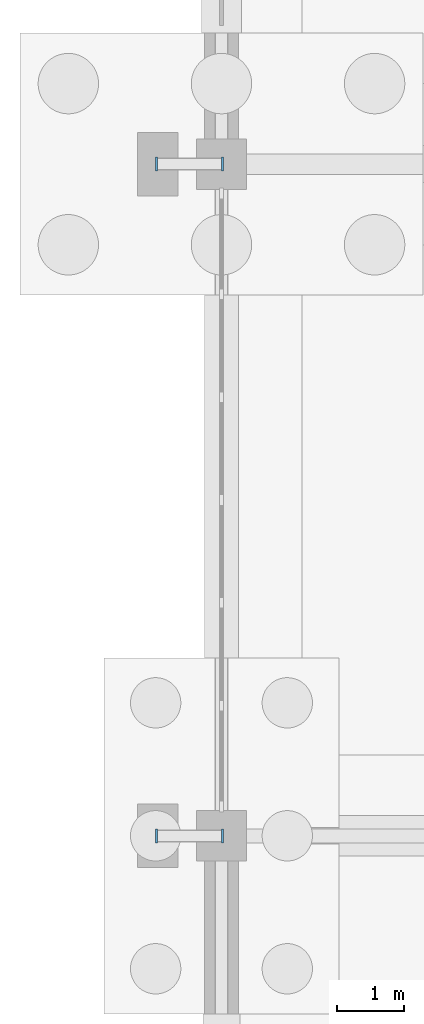
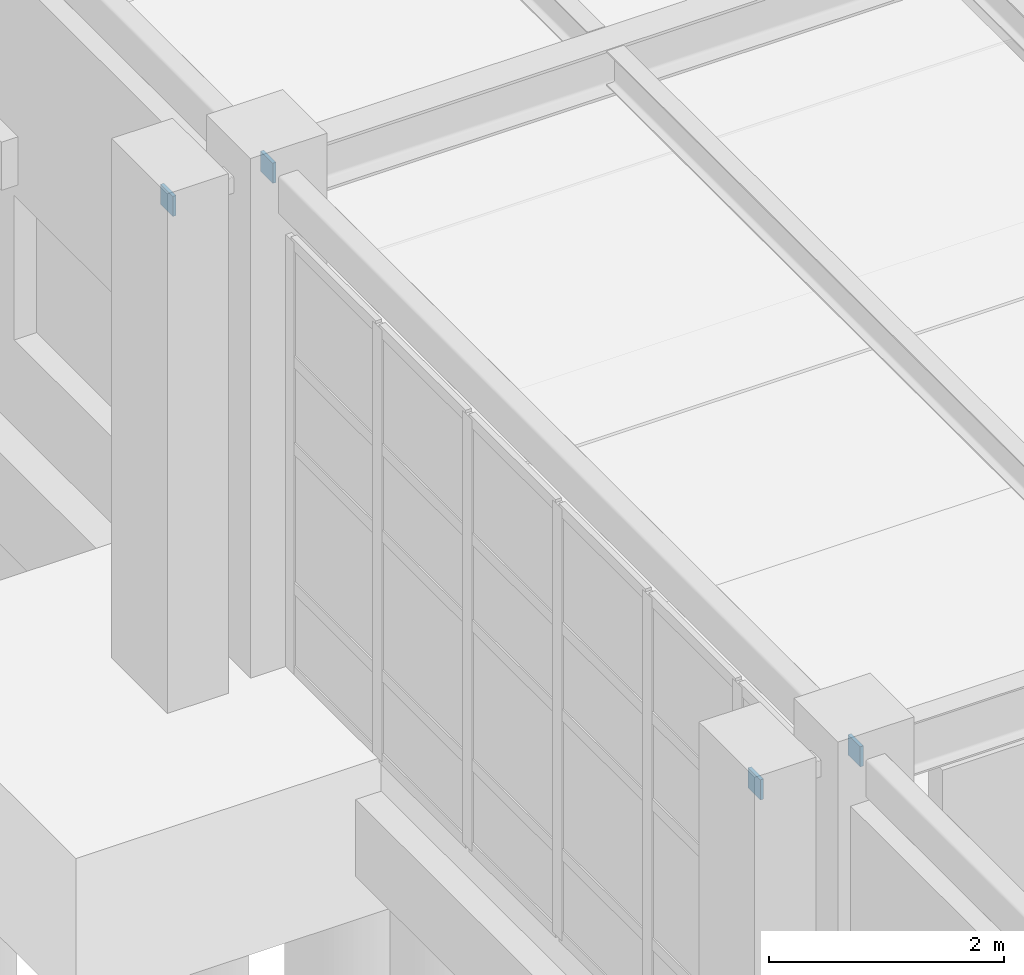
# One storey, part 100 of 145: 4 plates.
"""IFC4 building model written with IfcOpenShell, lengths in metres."""

from ifc_helpers import new_model, si_unit, direction, frame, origin, origin_2d, place, context, subcontext, project, spatial, rectangle, extrude, material, layer, layer_set, type_object, element, save


model = new_model("IFC4")

# Units and contexts
model_context = context("Model", 3, precision=1e-05, world=origin(), true_north=direction((0.0, 1.0)))
body_context = subcontext(model_context, "Body", "Model", "MODEL_VIEW")
ifc_project = project(units=[si_unit("LENGTHUNIT", "METRE"), si_unit("AREAUNIT", "SQUARE_METRE"), si_unit("VOLUMEUNIT", "CUBIC_METRE"), si_unit("PLANEANGLEUNIT", "RADIAN"), si_unit("MASSUNIT", "GRAM", prefix="KILO"), si_unit("THERMODYNAMICTEMPERATUREUNIT", "KELVIN"), si_unit("POWERUNIT", "WATT")], contexts=[model_context])

# Site, building, storey
site_placement = place(None, origin())
site = spatial("IfcSite", under=ifc_project, at=site_placement, CompositionType="ELEMENT")
building_placement = place(site_placement, origin())
building = spatial("IfcBuilding", under=site, at=building_placement, Name="Korenveer Ferry Terminal", CompositionType="ELEMENT")
storey_placement = place(building_placement, origin())
storey = spatial("IfcBuildingStorey", under=building, at=storey_placement, Name="L00", CompositionType="ELEMENT", Elevation=0.0)

# Plates
ifc_material = material(Name="Steel S355", Category="steel")
ifc_layer = layer(ifc_material, 0.031982421875)
ifc_layer_set = layer_set([ifc_layer], Name="Steel S355")
plate_type = type_object("IfcPlateType", Name="STR-PLT-CAP32", PredefinedType="USERDEFINED", material=ifc_layer_set)
for number, where, z_axis, x_axis, name in (
    (1, (-0.98193359375, 20.0, 4.949951171875), (1.0, 0.0, 0.0), (0.0, 1.0, 0.0), "Hollow section end cap 77"),
    (2, (0.0, 20.0, 4.949951171875), (1.0, 0.0, 0.0), (0.0, 1.0, 0.0), "Hollow section end cap 78"),
    (3, (-0.98193359375, 30.0, 4.949951171875), (1.0, 0.0, 0.0), (0.0, 1.0, 0.0), "Hollow section end cap 83"),
    (4, (0.0, 30.0, 4.949951171875), (1.0, 0.0, 0.0), (0.0, 1.0, 0.0), "Hollow section end cap 84"),
):
    element("IfcPlate", number, at=place(storey_placement, frame(where, z_axis=z_axis, x_axis=x_axis)), inside=storey, type_object=plate_type, Name=name, ObjectType="END CAP PLATE", PredefinedType="USERDEFINED", context=body_context, shape_type="SweptSolid", body=[
        extrude(rectangle(XDim=0.2099609375, YDim=0.2099609375, at=origin_2d()), origin(), (0.0, 0.0, 1.0), 0.031982421875),
    ])

save(model, "model.ifc")
